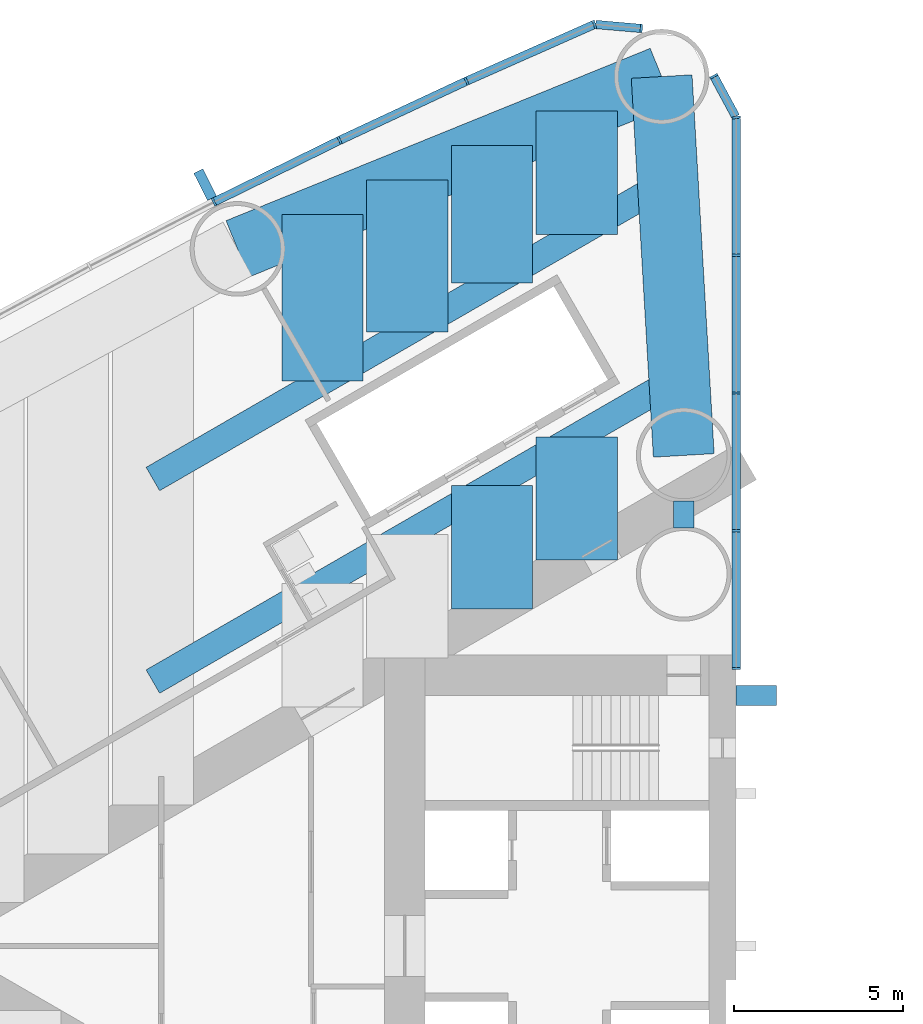
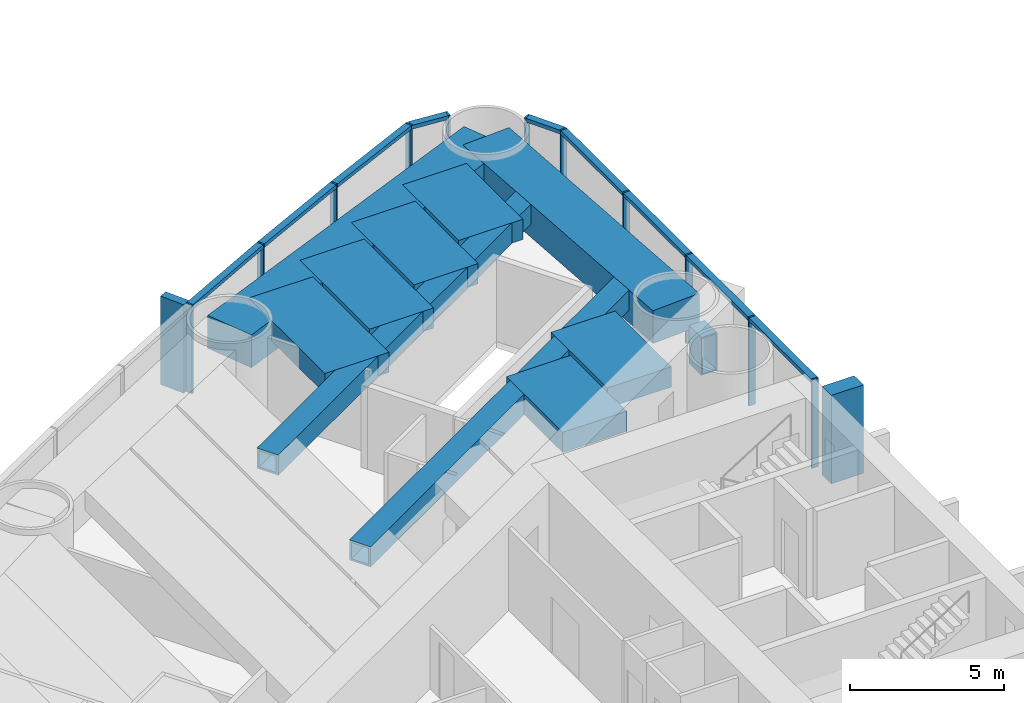
# One storey, part 5 of 19: 22 members, 11 beams, 2 elements without a shape of their own.
"""IFC4 building model written with IfcOpenShell, lengths in metres."""

from ifc_helpers import new_model, si_unit, direction, frame, origin, origin_2d, place, context, subcontext, project, spatial, rectangle, hollow_rectangle, extrude, material, material_profile, profile_set, type_object, element, aggregate, save


model = new_model("IFC4")

# Units and contexts
model_context = context("Model", 3, precision=1e-05, world=origin(), true_north=direction((0.0, 1.0)))
body_context = subcontext(model_context, "Body", "Model", "MODEL_VIEW")
ifc_project = project(units=[si_unit("LENGTHUNIT", "METRE"), si_unit("AREAUNIT", "SQUARE_METRE"), si_unit("VOLUMEUNIT", "CUBIC_METRE"), si_unit("PLANEANGLEUNIT", "RADIAN"), si_unit("MASSUNIT", "GRAM", prefix="KILO")], contexts=[model_context])

# Site, building, storey
site_placement = place(None, origin())
site = spatial("IfcSite", under=ifc_project, at=site_placement, CompositionType="ELEMENT")
building_placement = place(site_placement, origin())
building = spatial("IfcBuilding", under=site, at=building_placement, Name="Lancet Gate Hotel", CompositionType="ELEMENT")
storey_placement = place(building_placement, frame((0.0, 0.0, 28.5)))
storey = spatial("IfcBuildingStorey", under=building, at=storey_placement, Name="L06", CompositionType="ELEMENT", Elevation=28.5)

# Curtain wall, members
ifc_material_1 = material(Name="Aluminium curtain wall", Category="aluminium")
curtain_wall_type = type_object("IfcCurtainWallType", Name="Tower unitised curtain wall", PredefinedType="USERDEFINED", material=ifc_material_1)
curtain_wall_1_placement = place(storey_placement, origin())
curtain_wall_1 = element("IfcCurtainWall", 1, at=curtain_wall_1_placement, inside=storey, type_object=curtain_wall_type, Name="T1 L06 curtain wall 1", ObjectType="UNITISED CURTAIN WALL", PredefinedType="USERDEFINED")
ifc_material_2 = material(Name="Aluminium mullion", Category="aluminium")
ifc_material_profile_1 = material_profile(ifc_material_2, rectangle(XDim=0.06494140625, YDim=0.25, at=origin_2d()), Name="MULLION 65x250")
ifc_profile_set_1 = profile_set([ifc_material_profile_1], Name="Aluminium mullion")
member_type_1 = type_object("IfcMemberType", Name="Aluminium mullion 65x250", PredefinedType="MULLION", material=ifc_profile_set_1)
member_1_placement = place(storey_placement, frame((-27.5, 8.199951171875, 0.0), z_axis=(0.0, 0.0, 1.0), x_axis=(0.0, 1.0, 0.0)))
member_1 = element("IfcMember", 2, at=member_1_placement, type_object=member_type_1, Name="T1 L06 curtain wall 1 mullion 1", PredefinedType="MULLION", context=body_context, shape_type="SweptSolid", body=[
    extrude(rectangle(XDim=0.06494140625, YDim=0.25, at=origin_2d()), origin(), (0.0, 0.0, 1.0), 3.5),
])
member_2_placement = place(storey_placement, frame((-27.5, 12.272705078125, 0.0), z_axis=(0.0, 0.0, 1.0), x_axis=(0.0, 1.0, 0.0)))
member_2 = element("IfcMember", 3, at=member_2_placement, type_object=member_type_1, Name="T1 L06 curtain wall 1 mullion 2", PredefinedType="MULLION", context=body_context, shape_type="SweptSolid", body=[
    extrude(rectangle(XDim=0.06494140625, YDim=0.25, at=origin_2d()), origin(), (0.0, 0.0, 1.0), 3.5),
])
member_3_placement = place(storey_placement, frame((-27.5, 16.345703125, 0.0), z_axis=(0.0, 0.0, 1.0), x_axis=(0.0, 1.0, 0.0)))
member_3 = element("IfcMember", 4, at=member_3_placement, type_object=member_type_1, Name="T1 L06 curtain wall 1 mullion 3", PredefinedType="MULLION", context=body_context, shape_type="SweptSolid", body=[
    extrude(rectangle(XDim=0.06494140625, YDim=0.25, at=origin_2d()), origin(), (0.0, 0.0, 1.0), 3.5),
])
member_4_placement = place(storey_placement, frame((-27.5, 20.41845703125, 0.0), z_axis=(0.0, 0.0, 1.0), x_axis=(0.0, 1.0, 0.0)))
member_4 = element("IfcMember", 5, at=member_4_placement, type_object=member_type_1, Name="T1 L06 curtain wall 1 mullion 4", PredefinedType="MULLION", context=body_context, shape_type="SweptSolid", body=[
    extrude(rectangle(XDim=0.06494140625, YDim=0.25, at=origin_2d()), origin(), (0.0, 0.0, 1.0), 3.5),
])
member_5_placement = place(storey_placement, frame((-27.5, 24.4912109375, 0.0), z_axis=(0.0, 0.0, 1.0), x_axis=(-0.123482502544, 0.992346749662, 0.0)))
member_5 = element("IfcMember", 6, at=member_5_placement, type_object=member_type_1, Name="T1 L06 curtain wall 1 mullion 5", PredefinedType="MULLION", context=body_context, shape_type="SweptSolid", body=[
    extrude(rectangle(XDim=0.06494140625, YDim=0.25, at=origin_2d()), origin(), (0.0, 0.0, 1.0), 3.5),
])
member_6_placement = place(storey_placement, frame((-28.158935546875, 25.712890625, 0.0), z_axis=(0.0, 0.0, 1.0), x_axis=(-0.474631040972, 0.880184852714, 0.0)))
member_6 = element("IfcMember", 7, at=member_6_placement, type_object=member_type_1, Name="T1 L06 curtain wall 1 mullion 6", PredefinedType="MULLION", context=body_context, shape_type="SweptSolid", body=[
    extrude(rectangle(XDim=0.06494140625, YDim=0.25, at=origin_2d()), origin(), (0.0, 0.0, 1.0), 3.5),
])

curtain_wall_2_placement = place(storey_placement, origin())
curtain_wall_2 = element("IfcCurtainWall", 8, at=curtain_wall_2_placement, inside=storey, type_object=curtain_wall_type, Name="T1 L06 curtain wall 2", ObjectType="UNITISED CURTAIN WALL", PredefinedType="USERDEFINED")
member_7_placement = place(storey_placement, frame((-30.3046875, 27.124755859375, 0.0), z_axis=(0.0, 0.0, 1.0), x_axis=(-0.99620380374, 0.087051602022, 0.0)))
member_7 = element("IfcMember", 9, at=member_7_placement, type_object=member_type_1, Name="T1 L06 curtain wall 2 mullion 1", PredefinedType="MULLION", context=body_context, shape_type="SweptSolid", body=[
    extrude(rectangle(XDim=0.06494140625, YDim=0.25, at=origin_2d()), origin(), (0.0, 0.0, 1.0), 3.5),
])
member_8_placement = place(storey_placement, frame((-31.688720703125, 27.24560546875, 0.0), z_axis=(0.0, 0.0, 1.0), x_axis=(-0.957524354695, -0.288352406209, 0.0)))
member_8 = element("IfcMember", 10, at=member_8_placement, type_object=member_type_1, Name="T1 L06 curtain wall 2 mullion 2", PredefinedType="MULLION", context=body_context, shape_type="SweptSolid", body=[
    extrude(rectangle(XDim=0.06494140625, YDim=0.25, at=origin_2d()), origin(), (0.0, 0.0, 1.0), 3.5),
])
member_9_placement = place(storey_placement, frame((-35.473876953125, 25.568115234375, 0.0), z_axis=(0.0, 0.0, 1.0), x_axis=(-0.910219680212, -0.414125746308, 0.0)))
member_9 = element("IfcMember", 11, at=member_9_placement, type_object=member_type_1, Name="T1 L06 curtain wall 2 mullion 3", PredefinedType="MULLION", context=body_context, shape_type="SweptSolid", body=[
    extrude(rectangle(XDim=0.06494140625, YDim=0.25, at=origin_2d()), origin(), (0.0, 0.0, 1.0), 3.5),
])
member_10_placement = place(storey_placement, frame((-39.225341796875, 23.816650390625, 0.0), z_axis=(0.0, 0.0, 1.0), x_axis=(-0.901928838337, -0.431884672772, 0.0)))
member_10 = element("IfcMember", 12, at=member_10_placement, type_object=member_type_1, Name="T1 L06 curtain wall 2 mullion 4", PredefinedType="MULLION", context=body_context, shape_type="SweptSolid", body=[
    extrude(rectangle(XDim=0.06494140625, YDim=0.25, at=origin_2d()), origin(), (0.0, 0.0, 1.0), 3.5),
])
member_11_placement = place(storey_placement, frame((-42.94189453125, 21.991943359375, 0.0), z_axis=(0.0, 0.0, 1.0), x_axis=(-0.893291549794, -0.449477704748, 0.0)))
member_11 = element("IfcMember", 13, at=member_11_placement, type_object=member_type_1, Name="T1 L06 curtain wall 2 mullion 5", PredefinedType="MULLION", context=body_context, shape_type="SweptSolid", body=[
    extrude(rectangle(XDim=0.06494140625, YDim=0.25, at=origin_2d()), origin(), (0.0, 0.0, 1.0), 3.5),
])

# Member
ifc_material_3 = material(Name="Aluminium transom", Category="aluminium")
ifc_material_profile_2 = material_profile(ifc_material_3, rectangle(XDim=0.25, YDim=0.14990234375, at=origin_2d()), Name="TRANSOM 250x150")
ifc_profile_set_2 = profile_set([ifc_material_profile_2], Name="Aluminium transom")
member_type_2 = type_object("IfcMemberType", Name="Aluminium transom 250x150", PredefinedType="USERDEFINED", material=ifc_profile_set_2)
member_12_placement = place(storey_placement, frame((-27.5, 8.232421875, 3.425048828125), z_axis=(0.0, 1.0, 0.0), x_axis=(-1.0, 0.0, 0.0)))
member_12 = element("IfcMember", 14, at=member_12_placement, type_object=member_type_2, Name="T1 L06 curtain wall 1 transom 1", ObjectType="TRANSOM", PredefinedType="USERDEFINED", context=body_context, shape_type="SweptSolid", body=[
    extrude(rectangle(XDim=0.25, YDim=0.14990234375, at=origin_2d()), origin(), (0.0, 0.0, 1.0), 4.0078125),
])

member_13_placement = place(storey_placement, frame((-27.5, 12.30517578125, 3.425048828125), z_axis=(0.0, 1.0, 0.0), x_axis=(-1.0, 0.0, 0.0)))
member_13 = element("IfcMember", 15, at=member_13_placement, type_object=member_type_2, Name="T1 L06 curtain wall 1 transom 2", ObjectType="TRANSOM", PredefinedType="USERDEFINED", context=body_context, shape_type="SweptSolid", body=[
    extrude(rectangle(XDim=0.25, YDim=0.14990234375, at=origin_2d()), origin(), (0.0, 0.0, 1.0), 4.0078125),
])

member_14_placement = place(storey_placement, frame((-27.5, 16.378173828125, 3.425048828125), z_axis=(0.0, 1.0, 0.0), x_axis=(-1.0, 0.0, 0.0)))
member_14 = element("IfcMember", 16, at=member_14_placement, type_object=member_type_2, Name="T1 L06 curtain wall 1 transom 3", ObjectType="TRANSOM", PredefinedType="USERDEFINED", context=body_context, shape_type="SweptSolid", body=[
    extrude(rectangle(XDim=0.25, YDim=0.14990234375, at=origin_2d()), origin(), (0.0, 0.0, 1.0), 4.0078125),
])

member_15_placement = place(storey_placement, frame((-27.5, 20.450927734375, 3.425048828125), z_axis=(0.0, 1.0, 0.0), x_axis=(-1.0, 0.0, 0.0)))
member_15 = element("IfcMember", 17, at=member_15_placement, type_object=member_type_2, Name="T1 L06 curtain wall 1 transom 4", ObjectType="TRANSOM", PredefinedType="USERDEFINED", context=body_context, shape_type="SweptSolid", body=[
    extrude(rectangle(XDim=0.25, YDim=0.14990234375, at=origin_2d()), origin(), (0.0, 0.0, 1.0), 4.0078125),
])

member_16_placement = place(storey_placement, frame((-27.515380859375, 24.519775390625, 3.425048828125), z_axis=(-0.474605926905, 0.880198394765, 0.0), x_axis=(-0.880198394765, -0.474605926905, 0.0)))
member_16 = element("IfcMember", 18, at=member_16_placement, type_object=member_type_2, Name="T1 L06 curtain wall 1 transom 5", ObjectType="TRANSOM", PredefinedType="USERDEFINED", context=body_context, shape_type="SweptSolid", body=[
    extrude(rectangle(XDim=0.25, YDim=0.14990234375, at=origin_2d()), origin(), (0.0, 0.0, 1.0), 1.322998046875),
])

aggregate(curtain_wall_1, [member_1, member_2, member_3, member_4, member_5, member_6, member_12, member_13, member_14, member_15, member_16])

member_17_placement = place(storey_placement, frame((-30.337158203125, 27.127685546875, 3.425048828125), z_axis=(-0.99620591587, 0.087027427779, 0.0), x_axis=(-0.087027427779, -0.99620591587, 0.0)))
member_17 = element("IfcMember", 19, at=member_17_placement, type_object=member_type_2, Name="T1 L06 curtain wall 2 transom 1", ObjectType="TRANSOM", PredefinedType="USERDEFINED", context=body_context, shape_type="SweptSolid", body=[
    extrude(rectangle(XDim=0.25, YDim=0.14990234375, at=origin_2d()), origin(), (0.0, 0.0, 1.0), 1.32421875),
])

member_18_placement = place(storey_placement, frame((-31.71826171875, 27.232421875, 3.425048828125), z_axis=(-0.914248281954, -0.405154389022, 0.0), x_axis=(0.405154389022, -0.914248281954, 0.0)))
member_18 = element("IfcMember", 20, at=member_18_placement, type_object=member_type_2, Name="T1 L06 curtain wall 2 transom 2", ObjectType="TRANSOM", PredefinedType="USERDEFINED", context=body_context, shape_type="SweptSolid", body=[
    extrude(rectangle(XDim=0.25, YDim=0.14990234375, at=origin_2d()), origin(), (0.0, 0.0, 1.0), 4.0751953125),
])

member_19_placement = place(storey_placement, frame((-35.503173828125, 25.554443359375, 3.425048828125), z_axis=(-0.906109667261, -0.423042871228, 0.0), x_axis=(0.423042871228, -0.906109667261, 0.0)))
member_19 = element("IfcMember", 21, at=member_19_placement, type_object=member_type_2, Name="T1 L06 curtain wall 2 transom 3", ObjectType="TRANSOM", PredefinedType="USERDEFINED", context=body_context, shape_type="SweptSolid", body=[
    extrude(rectangle(XDim=0.25, YDim=0.14990234375, at=origin_2d()), origin(), (0.0, 0.0, 1.0), 4.075439453125),
])

member_20_placement = place(storey_placement, frame((-39.254638671875, 23.80224609375, 3.425048828125), z_axis=(-0.897662439958, -0.440683723194, 0.0), x_axis=(0.440683723194, -0.897662439958, 0.0)))
member_20 = element("IfcMember", 22, at=member_20_placement, type_object=member_type_2, Name="T1 L06 curtain wall 2 transom 4", ObjectType="TRANSOM", PredefinedType="USERDEFINED", context=body_context, shape_type="SweptSolid", body=[
    extrude(rectangle(XDim=0.25, YDim=0.14990234375, at=origin_2d()), origin(), (0.0, 0.0, 1.0), 4.0751953125),
])

# Beams
ifc_material_4 = material(Name="Concrete C50/60", Category="concrete")
ifc_material_profile_3 = material_profile(ifc_material_4, rectangle(XDim=1.800048828125, YDim=1.300048828125, at=origin_2d()), Name="RC 1800x1300")
ifc_profile_set_3 = profile_set([ifc_material_profile_3], Name="Concrete C50/60")
beam_type_1 = type_object("IfcBeamType", Name="Edge beam RC 1800x1300", PredefinedType="SPANDREL", material=ifc_profile_set_3)
beam_1_placement = place(storey_placement, frame((-29.703369140625, 25.70263671875, 2.60009765625), z_axis=(-0.926463236197, -0.376385270667, 0.0), x_axis=(0.376385270667, -0.926463236197, 0.0)))
element("IfcBeam", 23, at=beam_1_placement, inside=storey, type_object=beam_type_1, Name="T1 edge beam EB1 L06", PredefinedType="SPANDREL", context=body_context, shape_type="SweptSolid", body=[
    extrude(rectangle(XDim=1.800048828125, YDim=1.300048828125, at=origin_2d()), origin(), (0.0, 0.0, 1.0), 13.537353515625),
])
beam_2_placement = place(storey_placement, frame((-29.703369140625, 25.70263671875, 2.60009765625), z_axis=(0.058219521912, -0.998303805096, 0.0), x_axis=(0.998303805096, 0.058219521912, 0.0)))
element("IfcBeam", 24, at=beam_2_placement, inside=storey, type_object=beam_type_1, Name="T1 edge beam EB1 L06", PredefinedType="SPANDREL", context=body_context, shape_type="SweptSolid", body=[
    extrude(rectangle(XDim=1.800048828125, YDim=1.300048828125, at=origin_2d()), origin(), (0.0, 0.0, 1.0), 11.2216796875),
])

# Member
ifc_material_5 = material(Name="Concrete C60/75", Category="concrete")
ifc_material_profile_4 = material_profile(ifc_material_5, rectangle(XDim=0.60009765625, YDim=1.199951171875, at=origin_2d()), Name="FIN 600x1200")
ifc_profile_set_4 = profile_set([ifc_material_profile_4], Name="Concrete C60/75")
member_type_3 = type_object("IfcMemberType", Name="Exposed concrete buttress pilaster 600x1200", PredefinedType="USERDEFINED", material=ifc_profile_set_4)
member_21_placement = place(storey_placement, frame((-26.909912109375, 7.39990234375, 0.0), z_axis=(0.0, 0.0, 1.0), x_axis=(0.0, 1.0, 0.0)))
element("IfcMember", 25, at=member_21_placement, inside=storey, type_object=member_type_3, Name="T1 buttress pilaster S L06", ObjectType="FIN", PredefinedType="USERDEFINED", context=body_context, shape_type="SweptSolid", body=[
    extrude(rectangle(XDim=0.60009765625, YDim=1.199951171875, at=origin_2d()), origin(), (0.0, 0.0, 1.0), 3.5),
])

ifc_material_6 = material(Name="Precast concrete C50/60", Category="concrete")
ifc_material_profile_5 = material_profile(ifc_material_6, rectangle(XDim=0.300048828125, YDim=0.89990234375, at=origin_2d()), Name="FIN 300x900")
ifc_profile_set_5 = profile_set([ifc_material_profile_5], Name="Precast concrete C50/60")
member_type_4 = type_object("IfcMemberType", Name="Exposed concrete fin 300x900", PredefinedType="USERDEFINED", material=ifc_profile_set_5)
member_22_placement = place(storey_placement, frame((-43.200439453125, 22.505615234375, 0.0), z_axis=(0.0, 0.0, 1.0), x_axis=(-0.893291549794, -0.449477704748, 0.0)))
member_22 = element("IfcMember", 26, at=member_22_placement, type_object=member_type_4, Name="T1 L06 curtain wall 2 fin 5", ObjectType="FIN", PredefinedType="USERDEFINED", context=body_context, shape_type="SweptSolid", body=[
    extrude(rectangle(XDim=0.300048828125, YDim=0.89990234375, at=origin_2d()), origin(), (0.0, 0.0, 1.0), 3.5),
])

aggregate(curtain_wall_2, [member_7, member_8, member_9, member_10, member_11, member_22, member_17, member_18, member_19, member_20])

# Beams
ifc_material_7 = material(Name="Concrete C50/60", Category="concrete")
ifc_material_profile_6 = material_profile(ifc_material_7, rectangle(XDim=2.39990234375, YDim=0.800048828125, at=origin_2d()), Name="RC 2400x800")
ifc_profile_set_6 = profile_set([ifc_material_profile_6], Name="Concrete C50/60")
beam_type_2 = type_object("IfcBeamType", Name="Floor beam RC 2400x800", PredefinedType="BEAM", material=ifc_profile_set_6)
beam_3_placement = place(storey_placement, frame((-32.213623046875, 24.682861328125, 2.85009765625), z_axis=(0.0, -1.0, 0.0), x_axis=(1.0, 0.0, 0.0)))
element("IfcBeam", 27, at=beam_3_placement, inside=storey, type_object=beam_type_2, Name="T1 floor beam F02SA L06", PredefinedType="BEAM", context=body_context, shape_type="SweptSolid", body=[
    extrude(rectangle(XDim=2.39990234375, YDim=0.800048828125, at=origin_2d()), origin(), (0.0, 0.0, 1.0), 3.643798828125),
])
beam_4_placement = place(storey_placement, frame((-32.213623046875, 15.051025390625, 2.85009765625), z_axis=(0.0, -1.0, 0.0), x_axis=(1.0, 0.0, 0.0)))
element("IfcBeam", 28, at=beam_4_placement, inside=storey, type_object=beam_type_2, Name="T1 floor beam F02SB L06", PredefinedType="BEAM", context=body_context, shape_type="SweptSolid", body=[
    extrude(rectangle(XDim=2.39990234375, YDim=0.800048828125, at=origin_2d()), origin(), (0.0, 0.0, 1.0), 3.645751953125),
])
beam_5_placement = place(storey_placement, frame((-34.720458984375, 23.664306640625, 2.85009765625), z_axis=(0.0, -1.0, 0.0), x_axis=(1.0, 0.0, 0.0)))
element("IfcBeam", 29, at=beam_5_placement, inside=storey, type_object=beam_type_2, Name="T1 floor beam F04SA L06", PredefinedType="BEAM", context=body_context, shape_type="SweptSolid", body=[
    extrude(rectangle(XDim=2.39990234375, YDim=0.800048828125, at=origin_2d()), origin(), (0.0, 0.0, 1.0), 4.07275390625),
])
beam_6_placement = place(storey_placement, frame((-34.720458984375, 13.603759765625, 2.85009765625), z_axis=(0.0, -1.0, 0.0), x_axis=(1.0, 0.0, 0.0)))
element("IfcBeam", 30, at=beam_6_placement, inside=storey, type_object=beam_type_2, Name="T1 floor beam F04SB L06", PredefinedType="BEAM", context=body_context, shape_type="SweptSolid", body=[
    extrude(rectangle(XDim=2.39990234375, YDim=0.800048828125, at=origin_2d()), origin(), (0.0, 0.0, 1.0), 3.645751953125),
])
beam_7_placement = place(storey_placement, frame((-37.227294921875, 22.64599609375, 2.85009765625), z_axis=(0.0, -1.0, 0.0), x_axis=(1.0, 0.0, 0.0)))
element("IfcBeam", 31, at=beam_7_placement, inside=storey, type_object=beam_type_2, Name="T1 floor beam F05SA L06", PredefinedType="BEAM", context=body_context, shape_type="SweptSolid", body=[
    extrude(rectangle(XDim=2.39990234375, YDim=0.800048828125, at=origin_2d()), origin(), (0.0, 0.0, 1.0), 4.501953125),
])
beam_8_placement = place(storey_placement, frame((-39.734130859375, 21.627685546875, 2.85009765625), z_axis=(0.0, -1.0, 0.0), x_axis=(1.0, 0.0, 0.0)))
element("IfcBeam", 32, at=beam_8_placement, inside=storey, type_object=beam_type_2, Name="T1 floor beam F07SA L06", PredefinedType="BEAM", context=body_context, shape_type="SweptSolid", body=[
    extrude(rectangle(XDim=2.39990234375, YDim=0.800048828125, at=origin_2d()), origin(), (0.0, 0.0, 1.0), 4.93115234375),
])
ifc_material_8 = material(Name="Steel S460QL", Category="steel")
ifc_material_profile_7 = material_profile(ifc_material_8, hollow_rectangle(XDim=0.60009765625, YDim=1.5, WallThickness=0.050048828125, at=origin_2d()), Name="BOX 1500x600x50")
ifc_profile_set_7 = profile_set([ifc_material_profile_7], Name="Steel S460QL")
beam_type_3 = type_object("IfcBeamType", Name="Inner-face link beam BOX 1500x600x50", PredefinedType="BEAM", material=ifc_profile_set_7)
beam_9_placement = place(storey_placement, frame((-29.050048828125, 13.14990234375, 2.5), z_axis=(0.0, -1.0, 0.0), x_axis=(1.0, 0.0, 0.0)))
element("IfcBeam", 33, at=beam_9_placement, inside=storey, type_object=beam_type_3, Name="T1 inner-face link beam LK1 L06", PredefinedType="BEAM", context=body_context, shape_type="SweptSolid", body=[
    extrude(hollow_rectangle(XDim=0.60009765625, YDim=1.5, WallThickness=0.050048828125, at=origin_2d()), origin(), (0.0, 0.0, 1.0), 0.7998046875),
])
ifc_material_9 = material(Name="Steel S460QL", Category="steel")
ifc_material_profile_8 = material_profile(ifc_material_9, hollow_rectangle(XDim=0.800048828125, YDim=0.800048828125, WallThickness=0.080078125, at=origin_2d()), Name="BOX 800x800x80")
ifc_profile_set_8 = profile_set([ifc_material_profile_8], Name="Steel S460QL")
beam_type_4 = type_object("IfcBeamType", Name="Trimmer beam BOX 800x800x80", PredefinedType="BEAM", material=ifc_profile_set_8)
beam_10_placement = place(storey_placement, frame((-29.18408203125, 16.800537109375, 2.85009765625), z_axis=(-0.865998945969, -0.500045823481, 0.0), x_axis=(0.500045823481, -0.865998945969, 0.0)))
element("IfcBeam", 34, at=beam_10_placement, inside=storey, type_object=beam_type_4, Name="T1 trimmer beam TR01S L06", PredefinedType="BEAM", context=body_context, shape_type="SweptSolid", body=[
    extrude(hollow_rectangle(XDim=0.800048828125, YDim=0.800048828125, WallThickness=0.080078125, at=origin_2d()), origin(), (0.0, 0.0, 1.0), 17.971923828125),
])
beam_11_placement = place(storey_placement, frame((-29.52197265625, 22.59326171875, 2.85009765625), z_axis=(-0.866004054636, -0.500036975987, 0.0), x_axis=(0.500036975987, -0.866004054636, 0.0)))
element("IfcBeam", 35, at=beam_11_placement, inside=storey, type_object=beam_type_4, Name="T1 trimmer beam TR02S L06", PredefinedType="BEAM", context=body_context, shape_type="SweptSolid", body=[
    extrude(hollow_rectangle(XDim=0.800048828125, YDim=0.800048828125, WallThickness=0.080078125, at=origin_2d()), origin(), (0.0, 0.0, 1.0), 17.581787109375),
])

save(model, "model.ifc")
